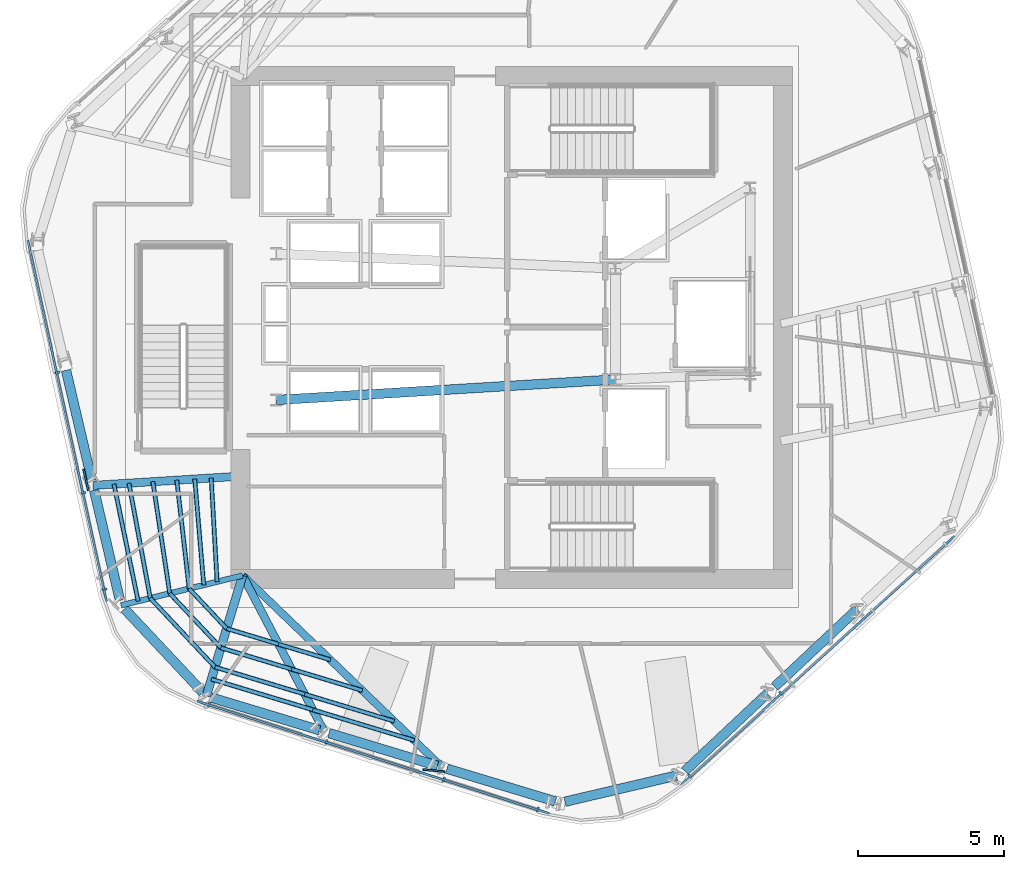
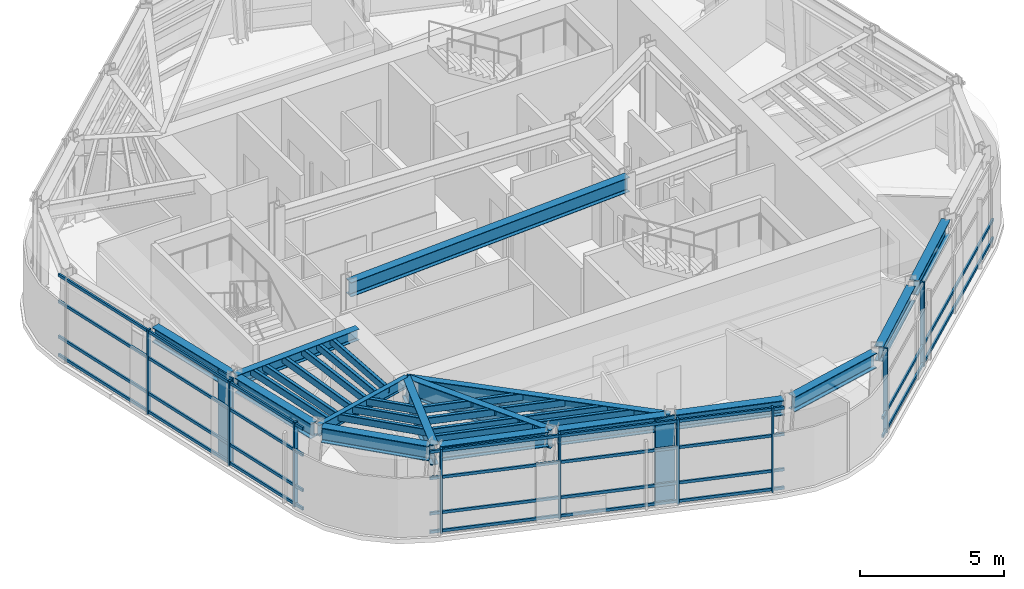
# One storey, part 2 of 15: 38 members, 15 beams, 3 elements without a shape of their own.
"""IFC4 building model written with IfcOpenShell, lengths in metres."""

from ifc_helpers import new_model, si_unit, direction, frame, origin, origin_2d, place, context, subcontext, project, spatial, rectangle, hollow_rectangle, i_section, extrude, material, layer, layer_set, material_profile, profile_set, type_object, element, aggregate, save


model = new_model("IFC4")

# Units and contexts
model_context = context("Model", 3, precision=1e-05, world=origin(), true_north=direction((0.0, 1.0)))
body_context = subcontext(model_context, "Body", "Model", "MODEL_VIEW")
ifc_project = project(units=[si_unit("LENGTHUNIT", "METRE"), si_unit("AREAUNIT", "SQUARE_METRE"), si_unit("VOLUMEUNIT", "CUBIC_METRE"), si_unit("PLANEANGLEUNIT", "RADIAN"), si_unit("MASSUNIT", "GRAM", prefix="KILO")], contexts=[model_context])

# Site, building, storey
site_placement = place(None, origin())
site = spatial("IfcSite", under=ifc_project, at=site_placement, CompositionType="ELEMENT")
building_placement = place(site_placement, origin())
building = spatial("IfcBuilding", under=site, at=building_placement, Name="Valkerne Bourse Tower", CompositionType="ELEMENT")
storey_placement = place(building_placement, frame((0.0, 0.0, 205.60009765625)))
storey = spatial("IfcBuildingStorey", under=building, at=storey_placement, Name="L52", CompositionType="ELEMENT", Elevation=205.60009765625)

# Beams
ifc_material_1 = material(Name="Steel ASTM A992", Category="steel")
ifc_material_profile_1 = material_profile(ifc_material_1, i_section(OverallWidth=0.1904296875, OverallDepth=0.457275390625, WebThickness=0.009033203125, FlangeThickness=0.014404296875, FilletRadius=0.01513671875, at=origin_2d()), Name="W18X50")
ifc_profile_set_1 = profile_set([ifc_material_profile_1], Name="Steel ASTM A992")
beam_type_1 = type_object("IfcBeamType", Name="BM-W18X50", PredefinedType="JOIST", material=ifc_profile_set_1)
beam_1_placement = place(storey_placement, frame((33.445556640625, 17.37841796875, 3.371337890625), z_axis=(0.97107841733, 0.238760774408, 0.0), x_axis=(-0.238760774408, 0.97107841733, 0.0)))
element("IfcBeam", 1, at=beam_1_placement, inside=storey, type_object=beam_type_1, Name="L52 Radial Composite Floor Beam 11", PredefinedType="JOIST", context=body_context, shape_type="SweptSolid", body=[
    extrude(i_section(OverallWidth=0.1904296875, OverallDepth=0.457275390625, WebThickness=0.009033203125, FlangeThickness=0.014404296875, FilletRadius=0.01513671875, at=origin_2d()), origin(), (0.0, 0.0, 1.0), 4.2783203125),
])
ifc_material_profile_2 = material_profile(ifc_material_1, i_section(OverallWidth=0.279296875, OverallDepth=0.46240234375, WebThickness=0.0107421875, FlangeThickness=0.017333984375, FilletRadius=0.017822265625, at=origin_2d()), Name="W18X76")
ifc_profile_set_2 = profile_set([ifc_material_profile_2], Name="Steel ASTM A992")
beam_type_2 = type_object("IfcBeamType", Name="BM-W18X76", PredefinedType="BEAM", material=ifc_profile_set_2)
beam_2_placement = place(storey_placement, frame((32.483642578125, 21.47900390625, 3.36865234375), z_axis=(0.998037167924, 0.062624367792, 0.0), x_axis=(-0.062624367792, 0.998037167924, 0.0)))
element("IfcBeam", 2, at=beam_2_placement, inside=storey, type_object=beam_type_2, Name="L52 Radial Composite Floor Beam 10", PredefinedType="BEAM", context=body_context, shape_type="SweptSolid", body=[
    extrude(i_section(OverallWidth=0.279296875, OverallDepth=0.46240234375, WebThickness=0.0107421875, FlangeThickness=0.017333984375, FilletRadius=0.017822265625, at=origin_2d()), origin(), (0.0, 0.0, 1.0), 5.12646484375),
])
ifc_material_profile_3 = material_profile(ifc_material_1, i_section(OverallWidth=0.3251953125, OverallDepth=0.612060546875, WebThickness=0.0126953125, FlangeThickness=0.01904296875, FilletRadius=0.020263671875, at=origin_2d()), Name="W24X104")
ifc_profile_set_3 = profile_set([ifc_material_profile_3], Name="Steel ASTM A992")
beam_type_3 = type_object("IfcBeamType", Name="BM-W24X104", PredefinedType="BEAM", material=ifc_profile_set_3)
beam_3_placement = place(storey_placement, frame((38.75, 24.39990234375, 3.293701171875), z_axis=(0.998183228389, 0.060251494276, 0.0), x_axis=(-0.060251494276, 0.998183228389, 0.0)))
element("IfcBeam", 3, at=beam_3_placement, inside=storey, type_object=beam_type_3, Name="L52 Core Frame Girder CG-SW", PredefinedType="BEAM", context=body_context, shape_type="SweptSolid", body=[
    extrude(i_section(OverallWidth=0.3251953125, OverallDepth=0.612060546875, WebThickness=0.0126953125, FlangeThickness=0.01904296875, FilletRadius=0.020263671875, at=origin_2d()), origin(), (0.0, 0.0, 1.0), 11.62109375),
])
ifc_material_profile_4 = material_profile(ifc_material_1, i_section(OverallWidth=0.32763671875, OverallDepth=0.62744140625, WebThickness=0.0166015625, FlangeThickness=0.027587890625, FilletRadius=0.020263671875, at=origin_2d()), Name="W24X146")
ifc_profile_set_4 = profile_set([ifc_material_profile_4], Name="Steel ASTM A992")
beam_type_4 = type_object("IfcBeamType", Name="BM-W24X146", PredefinedType="SPANDREL", material=ifc_profile_set_4)
for number, where, z_axis, x_axis, name in (
    (4, (31.560791015625, 25.414306640625, 3.2861328125), (0.228311792798, -0.973588067547, 0.0), (0.973588067547, 0.228311792798, 0.0), "L52 Hexagonal Spandrel Ring Beam 09"),
    (5, (32.5224609375, 21.3134765625, 3.2861328125), (0.228371556972, -0.973574050582, 0.0), (0.973574050582, 0.228371556972, 0.0), "L52 Hexagonal Spandrel Ring Beam 10"),
):
    element("IfcBeam", number, at=place(storey_placement, frame(where, z_axis=z_axis, x_axis=x_axis)), inside=storey, type_object=beam_type_4, Name=name, PredefinedType="SPANDREL", context=body_context, shape_type="SweptSolid", body=[
        extrude(i_section(OverallWidth=0.32763671875, OverallDepth=0.62744140625, WebThickness=0.0166015625, FlangeThickness=0.027587890625, FilletRadius=0.020263671875, at=origin_2d()), origin(), (0.0, 0.0, 1.0), 3.8720703125),
    ])
beam_4_placement = place(storey_placement, frame((33.56201171875, 17.25439453125, 3.2861328125), z_axis=(0.684496780709, -0.729015882679, 0.0), x_axis=(0.729015882679, 0.684496780709, 0.0)))
element("IfcBeam", 6, at=beam_4_placement, inside=storey, type_object=beam_type_4, Name="L52 Hexagonal Spandrel Ring Beam 11", PredefinedType="SPANDREL", context=body_context, shape_type="SweptSolid", body=[
    extrude(i_section(OverallWidth=0.32763671875, OverallDepth=0.62744140625, WebThickness=0.0166015625, FlangeThickness=0.027587890625, FilletRadius=0.020263671875, at=origin_2d()), origin(), (0.0, 0.0, 1.0), 3.91552734375),
])
for number, where, z_axis, x_axis, name in (
    (7, (36.521484375, 14.226806640625, 3.2861328125), (0.957319810918, -0.289030758957, 0.0), (0.289030758957, 0.957319810918, 0.0), "L52 Hexagonal Spandrel Ring Beam 12"),
    (8, (40.5537109375, 13.009521484375, 3.2861328125), (0.957319810918, -0.289030758957, 0.0), (0.289030758957, 0.957319810918, 0.0), "L52 Hexagonal Spandrel Ring Beam 13"),
    (9, (44.5859375, 11.7919921875, 3.2861328125), (0.957319810918, -0.289030758957, 0.0), (0.289030758957, 0.957319810918, 0.0), "L52 Hexagonal Spandrel Ring Beam 14"),
):
    element("IfcBeam", number, at=place(storey_placement, frame(where, z_axis=z_axis, x_axis=x_axis)), inside=storey, type_object=beam_type_4, Name=name, PredefinedType="SPANDREL", context=body_context, shape_type="SweptSolid", body=[
        extrude(i_section(OverallWidth=0.32763671875, OverallDepth=0.62744140625, WebThickness=0.0166015625, FlangeThickness=0.027587890625, FilletRadius=0.020263671875, at=origin_2d()), origin(), (0.0, 0.0, 1.0), 3.8720703125),
    ])
beam_5_placement = place(storey_placement, frame((48.620849609375, 10.66259765625, 3.2861328125), z_axis=(0.973571489204, 0.228382476142, 0.0), x_axis=(-0.228382476142, 0.973571489204, 0.0)))
element("IfcBeam", 10, at=beam_5_placement, inside=storey, type_object=beam_type_4, Name="L52 Hexagonal Spandrel Ring Beam 15", PredefinedType="SPANDREL", context=body_context, shape_type="SweptSolid", body=[
    extrude(i_section(OverallWidth=0.32763671875, OverallDepth=0.62744140625, WebThickness=0.0166015625, FlangeThickness=0.027587890625, FilletRadius=0.020263671875, at=origin_2d()), origin(), (0.0, 0.0, 1.0), 3.915771484375),
])
for number, where, z_axis, x_axis, name in (
    (11, (52.722412109375, 11.7119140625, 3.2861328125), (0.728982492651, 0.68453234066, 0.0), (-0.68453234066, 0.728982492651, 0.0), "L52 Hexagonal Spandrel Ring Beam 16"),
    (12, (55.79296875, 14.59521484375, 3.2861328125), (0.728952946424, 0.684563804111, 0.0), (-0.684563804111, 0.728952946424, 0.0), "L52 Hexagonal Spandrel Ring Beam 17"),
):
    element("IfcBeam", number, at=place(storey_placement, frame(where, z_axis=z_axis, x_axis=x_axis)), inside=storey, type_object=beam_type_4, Name=name, PredefinedType="SPANDREL", context=body_context, shape_type="SweptSolid", body=[
        extrude(i_section(OverallWidth=0.32763671875, OverallDepth=0.62744140625, WebThickness=0.0166015625, FlangeThickness=0.027587890625, FilletRadius=0.020263671875, at=origin_2d()), origin(), (0.0, 0.0, 1.0), 3.8720703125),
    ])
ifc_material_profile_5 = material_profile(ifc_material_1, i_section(OverallWidth=0.255859375, OverallDepth=0.693359375, WebThickness=0.014404296875, FlangeThickness=0.023681640625, FilletRadius=0.02294921875, at=origin_2d()), Name="W27X114")
ifc_profile_set_5 = profile_set([ifc_material_profile_5], Name="Steel ASTM A992")
beam_type_5 = type_object("IfcBeamType", Name="BM-W27X114", PredefinedType="BEAM", material=ifc_profile_set_5)
beam_6_placement = place(storey_placement, frame((44.423095703125, 11.84130859375, 3.253173828125), z_axis=(-0.720937650913, 0.692999930373, 0.0), x_axis=(-0.692999930373, -0.720937650913, 0.0)))
element("IfcBeam", 13, at=beam_6_placement, inside=storey, type_object=beam_type_5, Name="L52 Radial Composite Floor Beam 14", PredefinedType="BEAM", context=body_context, shape_type="SweptSolid", body=[
    extrude(i_section(OverallWidth=0.255859375, OverallDepth=0.693359375, WebThickness=0.014404296875, FlangeThickness=0.023681640625, FilletRadius=0.02294921875, at=origin_2d()), origin(), (0.0, 0.0, 1.0), 9.464111328125),
])
ifc_material_profile_6 = material_profile(ifc_material_1, i_section(OverallWidth=0.26806640625, OverallDepth=0.76953125, WebThickness=0.015625, FlangeThickness=0.025390625, FilletRadius=0.025390625, at=origin_2d()), Name="W30X132")
ifc_profile_set_6 = profile_set([ifc_material_profile_6], Name="Steel ASTM A992")
beam_type_6 = type_object("IfcBeamType", Name="BM-W30X132", PredefinedType="BEAM", material=ifc_profile_set_6)
beam_7_placement = place(storey_placement, frame((40.39111328125, 13.05859375, 3.215087890625), z_axis=(-0.463119704796, 0.886295740162, 0.0), x_axis=(-0.886295740162, -0.463119704796, 0.0)))
element("IfcBeam", 14, at=beam_7_placement, inside=storey, type_object=beam_type_6, Name="L52 Radial Composite Floor Beam 13", PredefinedType="BEAM", context=body_context, shape_type="SweptSolid", body=[
    extrude(i_section(OverallWidth=0.26806640625, OverallDepth=0.76953125, WebThickness=0.015625, FlangeThickness=0.025390625, FilletRadius=0.025390625, at=origin_2d()), origin(), (0.0, 0.0, 1.0), 6.026611328125),
])
ifc_material_profile_7 = material_profile(ifc_material_1, i_section(OverallWidth=0.2919921875, OverallDepth=0.8583984375, WebThickness=0.01708984375, FlangeThickness=0.031005859375, FilletRadius=0.025390625, at=origin_2d()), Name="W33X169")
ifc_profile_set_7 = profile_set([ifc_material_profile_7], Name="Steel ASTM A992")
beam_type_7 = type_object("IfcBeamType", Name="BM-W33X169", PredefinedType="BEAM", material=ifc_profile_set_7)
beam_8_placement = place(storey_placement, frame((36.358642578125, 14.27587890625, 3.170654296875), z_axis=(0.288252666786, 0.957554384926, 0.0), x_axis=(-0.957554384926, 0.288252666786, 0.0)))
element("IfcBeam", 15, at=beam_8_placement, inside=storey, type_object=beam_type_7, Name="L52 Radial Composite Floor Beam 12", PredefinedType="BEAM", context=body_context, shape_type="SweptSolid", body=[
    extrude(i_section(OverallWidth=0.2919921875, OverallDepth=0.8583984375, WebThickness=0.01708984375, FlangeThickness=0.031005859375, FilletRadius=0.025390625, at=origin_2d()), origin(), (0.0, 0.0, 1.0), 4.306884765625),
])

# Curtain wall, members
ifc_material_2 = material(Name="Aluminium AA 6063-T6", Category="aluminium")
ifc_layer = layer(ifc_material_2, 0.239990234375)
ifc_layer_set = layer_set([ifc_layer], Name="Aluminium AA 6063-T6")
curtain_wall_type = type_object("IfcCurtainWallType", Name="CW-04", PredefinedType="NOTDEFINED", material=ifc_layer_set)
curtain_wall_1_placement = place(storey_placement, origin())
curtain_wall_1 = element("IfcCurtainWall", 16, at=curtain_wall_1_placement, inside=storey, type_object=curtain_wall_type, Name="L52 Hexagonal Stick Curtain Wall Face 3", PredefinedType="NOTDEFINED")
ifc_material_profile_8 = material_profile(ifc_material_2, rectangle(XDim=0.074951171875, YDim=0.159912109375, at=origin_2d()), Name="CWM-75X160")
ifc_profile_set_8 = profile_set([ifc_material_profile_8], Name="Aluminium AA 6063-T6")
member_type_1 = type_object("IfcMemberType", Name="CW-MUL-160X75", PredefinedType="MULLION", material=ifc_profile_set_8)
member_1_placement = place(storey_placement, frame((31.2587890625, 25.337158203125, 0.0), z_axis=(0.0, 0.0, 1.0), x_axis=(0.213029862571, -0.977045688621, 0.0)))
member_1 = element("IfcMember", 17, at=member_1_placement, type_object=member_type_1, Name="CW-L52-F3 Jamb Mullion 01A", PredefinedType="MULLION", context=body_context, shape_type="SweptSolid", body=[
    extrude(rectangle(XDim=0.074951171875, YDim=0.159912109375, at=origin_2d()), origin(), (0.0, 0.0, 1.0), 3.599853515625),
])
member_2_placement = place(storey_placement, frame((32.156005859375, 21.2216796875, 0.0), z_axis=(0.0, 0.0, 1.0), x_axis=(0.213034804174, -0.977044611167, 0.0)))
member_2 = element("IfcMember", 18, at=member_2_placement, type_object=member_type_1, Name="CW-L52-F3 Jamb Mullion 02A", PredefinedType="MULLION", context=body_context, shape_type="SweptSolid", body=[
    extrude(rectangle(XDim=0.074951171875, YDim=0.159912109375, at=origin_2d()), origin(), (0.0, 0.0, 1.0), 3.599853515625),
])
member_3_placement = place(storey_placement, frame((32.87451171875, 17.927001953125, 0.0), z_axis=(0.0, 0.0, 1.0), x_axis=(0.213034804174, -0.977044611167, 0.0)))
member_3 = element("IfcMember", 19, at=member_3_placement, type_object=member_type_1, Name="CW-L52-F3 Jamb Mullion 02B", PredefinedType="MULLION", context=body_context, shape_type="SweptSolid", body=[
    extrude(rectangle(XDim=0.074951171875, YDim=0.159912109375, at=origin_2d()), origin(), (0.0, 0.0, 1.0), 3.599853515625),
])

curtain_wall_2_placement = place(storey_placement, origin())
curtain_wall_2 = element("IfcCurtainWall", 20, at=curtain_wall_2_placement, inside=storey, type_object=curtain_wall_type, Name="L52 Hexagonal Stick Curtain Wall Face 4", PredefinedType="NOTDEFINED")
member_4_placement = place(storey_placement, frame((36.456787109375, 13.989990234375, 0.0), z_axis=(0.0, 0.0, 1.0), x_axis=(0.952660381718, -0.304036506204, 0.0)))
member_4 = element("IfcMember", 21, at=member_4_placement, type_object=member_type_1, Name="CW-L52-F4 Jamb Mullion 00A", PredefinedType="MULLION", context=body_context, shape_type="SweptSolid", body=[
    extrude(rectangle(XDim=0.074951171875, YDim=0.159912109375, at=origin_2d()), origin(), (0.0, 0.0, 1.0), 3.599853515625),
])
member_5_placement = place(storey_placement, frame((40.469482421875, 12.70947265625, 0.0), z_axis=(0.0, 0.0, 1.0), x_axis=(0.952660381718, -0.304036506204, 0.0)))
member_5 = element("IfcMember", 22, at=member_5_placement, type_object=member_type_1, Name="CW-L52-F4 Jamb Mullion 01A", PredefinedType="MULLION", context=body_context, shape_type="SweptSolid", body=[
    extrude(rectangle(XDim=0.074951171875, YDim=0.159912109375, at=origin_2d()), origin(), (0.0, 0.0, 1.0), 3.599853515625),
])
member_6_placement = place(storey_placement, frame((44.482177734375, 11.4287109375, 0.0), z_axis=(0.0, 0.0, 1.0), x_axis=(0.952667258157, -0.304014958903, 0.0)))
member_6 = element("IfcMember", 23, at=member_6_placement, type_object=member_type_1, Name="CW-L52-F4 Jamb Mullion 02A", PredefinedType="MULLION", context=body_context, shape_type="SweptSolid", body=[
    extrude(rectangle(XDim=0.074951171875, YDim=0.159912109375, at=origin_2d()), origin(), (0.0, 0.0, 1.0), 3.599853515625),
])
member_7_placement = place(storey_placement, frame((47.694580078125, 10.40380859375, 0.0), z_axis=(0.0, 0.0, 1.0), x_axis=(0.952667258157, -0.304014958903, 0.0)))
member_7 = element("IfcMember", 24, at=member_7_placement, type_object=member_type_1, Name="CW-L52-F4 Jamb Mullion 02B", PredefinedType="MULLION", context=body_context, shape_type="SweptSolid", body=[
    extrude(rectangle(XDim=0.074951171875, YDim=0.159912109375, at=origin_2d()), origin(), (0.0, 0.0, 1.0), 3.599853515625),
])

curtain_wall_3_placement = place(storey_placement, origin())
curtain_wall_3 = element("IfcCurtainWall", 25, at=curtain_wall_3_placement, inside=storey, type_object=curtain_wall_type, Name="L52 Hexagonal Stick Curtain Wall Face 5", PredefinedType="NOTDEFINED")
member_8_placement = place(storey_placement, frame((52.8955078125, 11.53759765625, 0.0), z_axis=(0.0, 0.0, 1.0), x_axis=(0.73961985495, 0.673024865933, 0.0)))
member_8 = element("IfcMember", 26, at=member_8_placement, type_object=member_type_1, Name="CW-L52-F5 Jamb Mullion 00A", PredefinedType="MULLION", context=body_context, shape_type="SweptSolid", body=[
    extrude(rectangle(XDim=0.074951171875, YDim=0.159912109375, at=origin_2d()), origin(), (0.0, 0.0, 1.0), 3.599853515625),
])
member_9_placement = place(storey_placement, frame((56.0107421875, 14.372314453125, 0.0), z_axis=(0.0, 0.0, 1.0), x_axis=(0.739631673154, 0.673011878103, 0.0)))
member_9 = element("IfcMember", 27, at=member_9_placement, type_object=member_type_1, Name="CW-L52-F5 Jamb Mullion 01A", PredefinedType="MULLION", context=body_context, shape_type="SweptSolid", body=[
    extrude(rectangle(XDim=0.074951171875, YDim=0.159912109375, at=origin_2d()), origin(), (0.0, 0.0, 1.0), 3.599853515625),
])

# Member
ifc_material_profile_9 = material_profile(ifc_material_2, rectangle(XDim=0.074951171875, YDim=0.1201171875, at=origin_2d()), Name="CWT-75X120")
ifc_profile_set_9 = profile_set([ifc_material_profile_9], Name="Aluminium AA 6063-T6")
member_type_2 = type_object("IfcMemberType", Name="CW-TRN-120X75", PredefinedType="USERDEFINED", material=ifc_profile_set_9)
member_10_placement = place(storey_placement, frame((30.25244140625, 29.8583984375, 0.119873046875), z_axis=(0.213033612446, -0.977044871011, 0.0), x_axis=(0.977044871011, 0.213033612446, 0.0)))
member_10 = element("IfcMember", 28, at=member_10_placement, type_object=member_type_2, Name="CW-L52-F3 Continuous Face Transom 1", ObjectType="TRANSOM", PredefinedType="USERDEFINED", context=body_context, shape_type="SweptSolid", body=[
    extrude(rectangle(XDim=0.074951171875, YDim=0.1201171875, at=origin_2d()), origin(), (0.0, 0.0, 1.0), 12.635986328125),
])

member_11_placement = place(storey_placement, frame((30.25244140625, 29.8583984375, 0.89990234375), z_axis=(0.213033612446, -0.977044871011, 0.0), x_axis=(0.977044871011, 0.213033612446, 0.0)))
member_11 = element("IfcMember", 29, at=member_11_placement, type_object=member_type_2, Name="CW-L52-F3 Continuous Face Transom 2", ObjectType="TRANSOM", PredefinedType="USERDEFINED", context=body_context, shape_type="SweptSolid", body=[
    extrude(rectangle(XDim=0.074951171875, YDim=0.1201171875, at=origin_2d()), origin(), (0.0, 0.0, 1.0), 12.635986328125),
])

member_12_placement = place(storey_placement, frame((30.25244140625, 29.8583984375, 2.39990234375), z_axis=(0.213033612446, -0.977044871011, 0.0), x_axis=(0.977044871011, 0.213033612446, 0.0)))
member_12 = element("IfcMember", 30, at=member_12_placement, type_object=member_type_2, Name="CW-L52-F3 Continuous Face Transom 3", ObjectType="TRANSOM", PredefinedType="USERDEFINED", context=body_context, shape_type="SweptSolid", body=[
    extrude(rectangle(XDim=0.074951171875, YDim=0.1201171875, at=origin_2d()), origin(), (0.0, 0.0, 1.0), 12.635986328125),
])

member_13_placement = place(storey_placement, frame((30.25244140625, 29.8583984375, 3.52001953125), z_axis=(0.213033612446, -0.977044871011, 0.0), x_axis=(0.977044871011, 0.213033612446, 0.0)))
member_13 = element("IfcMember", 31, at=member_13_placement, type_object=member_type_2, Name="CW-L52-F3 Continuous Face Transom 4", ObjectType="TRANSOM", PredefinedType="USERDEFINED", context=body_context, shape_type="SweptSolid", body=[
    extrude(rectangle(XDim=0.074951171875, YDim=0.1201171875, at=origin_2d()), origin(), (0.0, 0.0, 1.0), 12.635986328125),
])

aggregate(curtain_wall_1, [member_10, member_11, member_12, member_13, member_1, member_2, member_3])

member_14_placement = place(storey_placement, frame((36.05078125, 14.0986328125, 0.119873046875), z_axis=(0.952658973075, -0.304040919975, 0.0), x_axis=(0.304040919975, 0.952658973075, 0.0)))
member_14 = element("IfcMember", 32, at=member_14_placement, type_object=member_type_2, Name="CW-L52-F4 Continuous Face Transom 1", ObjectType="TRANSOM", PredefinedType="USERDEFINED", context=body_context, shape_type="SweptSolid", body=[
    extrude(rectangle(XDim=0.074951171875, YDim=0.1201171875, at=origin_2d()), origin(), (0.0, 0.0, 1.0), 12.6357421875),
])

member_15_placement = place(storey_placement, frame((36.05078125, 14.0986328125, 0.89990234375), z_axis=(0.952658973075, -0.304040919975, 0.0), x_axis=(0.304040919975, 0.952658973075, 0.0)))
member_15 = element("IfcMember", 33, at=member_15_placement, type_object=member_type_2, Name="CW-L52-F4 Continuous Face Transom 2", ObjectType="TRANSOM", PredefinedType="USERDEFINED", context=body_context, shape_type="SweptSolid", body=[
    extrude(rectangle(XDim=0.074951171875, YDim=0.1201171875, at=origin_2d()), origin(), (0.0, 0.0, 1.0), 12.6357421875),
])

member_16_placement = place(storey_placement, frame((36.05078125, 14.0986328125, 2.39990234375), z_axis=(0.952658973075, -0.304040919975, 0.0), x_axis=(0.304040919975, 0.952658973075, 0.0)))
member_16 = element("IfcMember", 34, at=member_16_placement, type_object=member_type_2, Name="CW-L52-F4 Continuous Face Transom 3", ObjectType="TRANSOM", PredefinedType="USERDEFINED", context=body_context, shape_type="SweptSolid", body=[
    extrude(rectangle(XDim=0.074951171875, YDim=0.1201171875, at=origin_2d()), origin(), (0.0, 0.0, 1.0), 12.6357421875),
])

member_17_placement = place(storey_placement, frame((36.05078125, 14.0986328125, 3.52001953125), z_axis=(0.952658973075, -0.304040919975, 0.0), x_axis=(0.304040919975, 0.952658973075, 0.0)))
member_17 = element("IfcMember", 35, at=member_17_placement, type_object=member_type_2, Name="CW-L52-F4 Continuous Face Transom 4", ObjectType="TRANSOM", PredefinedType="USERDEFINED", context=body_context, shape_type="SweptSolid", body=[
    extrude(rectangle(XDim=0.074951171875, YDim=0.1201171875, at=origin_2d()), origin(), (0.0, 0.0, 1.0), 12.6357421875),
])

aggregate(curtain_wall_2, [member_14, member_15, member_16, member_17, member_4, member_5, member_6, member_7])

member_18_placement = place(storey_placement, frame((52.598388671875, 11.239990234375, 0.119873046875), z_axis=(0.739613012943, 0.673032384871, 0.0), x_axis=(-0.673032384871, 0.739613012943, 0.0)))
member_18 = element("IfcMember", 36, at=member_18_placement, type_object=member_type_2, Name="CW-L52-F5 Continuous Face Transom 1", ObjectType="TRANSOM", PredefinedType="USERDEFINED", context=body_context, shape_type="SweptSolid", body=[
    extrude(rectangle(XDim=0.074951171875, YDim=0.1201171875, at=origin_2d()), origin(), (0.0, 0.0, 1.0), 12.635986328125),
])

member_19_placement = place(storey_placement, frame((52.598388671875, 11.239990234375, 0.89990234375), z_axis=(0.739613012943, 0.673032384871, 0.0), x_axis=(-0.673032384871, 0.739613012943, 0.0)))
member_19 = element("IfcMember", 37, at=member_19_placement, type_object=member_type_2, Name="CW-L52-F5 Continuous Face Transom 2", ObjectType="TRANSOM", PredefinedType="USERDEFINED", context=body_context, shape_type="SweptSolid", body=[
    extrude(rectangle(XDim=0.074951171875, YDim=0.1201171875, at=origin_2d()), origin(), (0.0, 0.0, 1.0), 12.635986328125),
])

aggregate(curtain_wall_3, [member_18, member_19, member_8, member_9])

# Members
ifc_material_3 = material(Name="Bronze Anodised Aluminium AA 6063-T6", Category="aluminium")
ifc_material_profile_10 = material_profile(ifc_material_3, rectangle(XDim=0.06494140625, YDim=0.75, at=origin_2d()), Name="FIN-65X750")
ifc_profile_set_10 = profile_set([ifc_material_profile_10], Name="Bronze Anodised Aluminium AA 6063-T6")
member_type_3 = type_object("IfcMemberType", Name="FIN-SOLAR-650", PredefinedType="USERDEFINED", material=ifc_profile_set_10)
for number, where, z_axis, x_axis, name in (
    (38, (32.242431640625, 21.67041015625, 0.00390625), (0.0, 0.0, 1.0), (-0.976771020836, -0.214285727137, 0.0), "L52 Bronze Anodised Solar Fin F3-02"),
    (39, (44.13671875, 11.72802734375, 0.00390625), (0.0, 0.0, 1.0), (-0.096504831205, -0.995332516074, 0.0), "L52 Bronze Anodised Solar Fin F4-02"),
):
    element("IfcMember", number, at=place(storey_placement, frame(where, z_axis=z_axis, x_axis=x_axis)), inside=storey, type_object=member_type_3, Name=name, ObjectType="SOLAR_FIN", PredefinedType="USERDEFINED", context=body_context, shape_type="SweptSolid", body=[
        extrude(rectangle(XDim=0.06494140625, YDim=0.75, at=origin_2d()), origin(), (0.0, 0.0, 1.0), 3.592041015625),
    ])
ifc_material_4 = material(Name="Steel ASTM A500 Grade C", Category="steel")
ifc_material_profile_11 = material_profile(ifc_material_4, hollow_rectangle(XDim=0.14990234375, YDim=0.300048828125, WallThickness=0.012451171875, OuterFilletRadius=0.02490234375, at=origin_2d()), Name="HSS300X150X12.5")
ifc_profile_set_11 = profile_set([ifc_material_profile_11], Name="Steel ASTM A500 Grade C")
member_type_4 = type_object("IfcMemberType", Name="MBR-HSS300X150X12.5", PredefinedType="PURLIN", material=ifc_profile_set_11)
member_20_placement = place(storey_placement, frame((35.962890625, 21.697265625, 3.43994140625), z_axis=(0.08457297293, -0.996417288213, 0.0), x_axis=(0.996417288213, 0.08457297293, 0.0)))
element("IfcMember", 40, at=member_20_placement, inside=storey, type_object=member_type_4, Name="L52 Secondary Composite Floor Purlin I-10", PredefinedType="PURLIN", context=body_context, shape_type="SweptSolid", body=[
    extrude(hollow_rectangle(XDim=0.14990234375, YDim=0.300048828125, WallThickness=0.012451171875, OuterFilletRadius=0.02490234375, at=origin_2d()), origin(), (0.0, 0.0, 1.0), 3.63720703125),
])
member_21_placement = place(storey_placement, frame((35.348876953125, 21.65869140625, 3.43994140625), z_axis=(0.113360260397, -0.9935539499, 0.0), x_axis=(0.9935539499, 0.113360260397, 0.0)))
element("IfcMember", 41, at=member_21_placement, inside=storey, type_object=member_type_4, Name="L52 Secondary Composite Floor Purlin K-10", PredefinedType="PURLIN", context=body_context, shape_type="SweptSolid", body=[
    extrude(hollow_rectangle(XDim=0.14990234375, YDim=0.300048828125, WallThickness=0.012451171875, OuterFilletRadius=0.02490234375, at=origin_2d()), origin(), (0.0, 0.0, 1.0), 3.732421875),
])
member_22_placement = place(storey_placement, frame((35.77197265625, 17.950439453125, 3.43994140625), z_axis=(0.684526425711, -0.728988046886, 0.0), x_axis=(0.728988046886, 0.684526425711, 0.0)))
element("IfcMember", 42, at=member_22_placement, inside=storey, type_object=member_type_4, Name="L52 Secondary Composite Floor Purlin K-11", PredefinedType="PURLIN", context=body_context, shape_type="SweptSolid", body=[
    extrude(hollow_rectangle(XDim=0.14990234375, YDim=0.300048828125, WallThickness=0.012451171875, OuterFilletRadius=0.02490234375, at=origin_2d()), origin(), (0.0, 0.0, 1.0), 1.87255859375),
])
member_23_placement = place(storey_placement, frame((37.0537109375, 16.58544921875, 3.43994140625), z_axis=(0.957320833629, -0.28902737154, 0.0), x_axis=(0.28902737154, 0.957320833629, 0.0)))
element("IfcMember", 43, at=member_23_placement, inside=storey, type_object=member_type_4, Name="L52 Secondary Composite Floor Purlin K-12", PredefinedType="PURLIN", context=body_context, shape_type="SweptSolid", body=[
    extrude(hollow_rectangle(XDim=0.14990234375, YDim=0.300048828125, WallThickness=0.012451171875, OuterFilletRadius=0.02490234375, at=origin_2d()), origin(), (0.0, 0.0, 1.0), 1.853271484375),
])
member_24_placement = place(storey_placement, frame((38.827880859375, 16.0498046875, 3.43994140625), z_axis=(0.957331836301, -0.288990925818, 0.0), x_axis=(0.288990925818, 0.957331836301, 0.0)))
element("IfcMember", 44, at=member_24_placement, inside=storey, type_object=member_type_4, Name="L52 Secondary Composite Floor Purlin K-13", PredefinedType="PURLIN", context=body_context, shape_type="SweptSolid", body=[
    extrude(hollow_rectangle(XDim=0.14990234375, YDim=0.300048828125, WallThickness=0.012451171875, OuterFilletRadius=0.02490234375, at=origin_2d()), origin(), (0.0, 0.0, 1.0), 1.853515625),
])
member_25_placement = place(storey_placement, frame((33.711669921875, 21.555908203125, 3.43994140625), z_axis=(0.182751502794, -0.983159136776, 0.0), x_axis=(0.983159136776, 0.182751502794, 0.0)))
element("IfcMember", 45, at=member_25_placement, inside=storey, type_object=member_type_4, Name="L52 Secondary Composite Floor Purlin O-10", PredefinedType="PURLIN", context=body_context, shape_type="SweptSolid", body=[
    extrude(hollow_rectangle(XDim=0.14990234375, YDim=0.300048828125, WallThickness=0.012451171875, OuterFilletRadius=0.02490234375, at=origin_2d()), origin(), (0.0, 0.0, 1.0), 3.999755859375),
])
member_26_placement = place(storey_placement, frame((34.442626953125, 17.62353515625, 3.43994140625), z_axis=(0.684525980853, -0.728988464612, 0.0), x_axis=(0.728988464612, 0.684525980853, 0.0)))
element("IfcMember", 46, at=member_26_placement, inside=storey, type_object=member_type_4, Name="L52 Secondary Composite Floor Purlin O-11", PredefinedType="PURLIN", context=body_context, shape_type="SweptSolid", body=[
    extrude(hollow_rectangle(XDim=0.14990234375, YDim=0.300048828125, WallThickness=0.012451171875, OuterFilletRadius=0.02490234375, at=origin_2d()), origin(), (0.0, 0.0, 1.0), 3.234130859375),
])
member_27_placement = place(storey_placement, frame((36.656494140625, 15.265869140625, 3.43994140625), z_axis=(0.957318952017, -0.289033603772, 0.0), x_axis=(0.289033603772, 0.957318952017, 0.0)))
element("IfcMember", 47, at=member_27_placement, inside=storey, type_object=member_type_4, Name="L52 Secondary Composite Floor Purlin O-12", PredefinedType="PURLIN", context=body_context, shape_type="SweptSolid", body=[
    extrude(hollow_rectangle(XDim=0.14990234375, YDim=0.300048828125, WallThickness=0.012451171875, OuterFilletRadius=0.02490234375, at=origin_2d()), origin(), (0.0, 0.0, 1.0), 3.201416015625),
])
member_28_placement = place(storey_placement, frame((39.72119140625, 14.340576171875, 3.43994140625), z_axis=(0.957312580346, -0.289054706781, 0.0), x_axis=(0.289054706781, 0.957312580346, 0.0)))
element("IfcMember", 48, at=member_28_placement, inside=storey, type_object=member_type_4, Name="L52 Secondary Composite Floor Purlin O-13", PredefinedType="PURLIN", context=body_context, shape_type="SweptSolid", body=[
    extrude(hollow_rectangle(XDim=0.14990234375, YDim=0.300048828125, WallThickness=0.012451171875, OuterFilletRadius=0.02490234375, at=origin_2d()), origin(), (0.0, 0.0, 1.0), 3.201171875),
])
member_29_placement = place(storey_placement, frame((34.5302734375, 21.607421875, 3.43994140625), z_axis=(0.149378585073, -0.988780075811, 0.0), x_axis=(0.988780075811, 0.149378585073, 0.0)))
element("IfcMember", 49, at=member_29_placement, inside=storey, type_object=member_type_4, Name="L52 Secondary Composite Floor Purlin Z-10", PredefinedType="PURLIN", context=body_context, shape_type="SweptSolid", body=[
    extrude(hollow_rectangle(XDim=0.14990234375, YDim=0.300048828125, WallThickness=0.012451171875, OuterFilletRadius=0.02490234375, at=origin_2d()), origin(), (0.0, 0.0, 1.0), 3.86376953125),
])
member_30_placement = place(storey_placement, frame((35.107421875, 17.787109375, 3.43994140625), z_axis=(0.68447843156, -0.72903311086, 0.0), x_axis=(0.72903311086, 0.68447843156, 0.0)))
element("IfcMember", 50, at=member_30_placement, inside=storey, type_object=member_type_4, Name="L52 Secondary Composite Floor Purlin Z-11", PredefinedType="PURLIN", context=body_context, shape_type="SweptSolid", body=[
    extrude(hollow_rectangle(XDim=0.14990234375, YDim=0.300048828125, WallThickness=0.012451171875, OuterFilletRadius=0.02490234375, at=origin_2d()), origin(), (0.0, 0.0, 1.0), 2.553466796875),
])
member_31_placement = place(storey_placement, frame((36.855224609375, 15.925537109375, 3.43994140625), z_axis=(0.957346367719, -0.288942783637, 0.0), x_axis=(0.288942783637, 0.957346367719, 0.0)))
element("IfcMember", 51, at=member_31_placement, inside=storey, type_object=member_type_4, Name="L52 Secondary Composite Floor Purlin Z-12", PredefinedType="PURLIN", context=body_context, shape_type="SweptSolid", body=[
    extrude(hollow_rectangle(XDim=0.14990234375, YDim=0.300048828125, WallThickness=0.012451171875, OuterFilletRadius=0.02490234375, at=origin_2d()), origin(), (0.0, 0.0, 1.0), 2.52734375),
])
member_32_placement = place(storey_placement, frame((39.274658203125, 15.1953125, 3.43994140625), z_axis=(0.957284833583, -0.289146584611, 0.0), x_axis=(0.289146584611, 0.957284833583, 0.0)))
element("IfcMember", 52, at=member_32_placement, inside=storey, type_object=member_type_4, Name="L52 Secondary Composite Floor Purlin Z-13", PredefinedType="PURLIN", context=body_context, shape_type="SweptSolid", body=[
    extrude(hollow_rectangle(XDim=0.14990234375, YDim=0.300048828125, WallThickness=0.012451171875, OuterFilletRadius=0.02490234375, at=origin_2d()), origin(), (0.0, 0.0, 1.0), 2.527099609375),
])
member_33_placement = place(storey_placement, frame((36.525634765625, 21.732666015625, 3.43994140625), z_axis=(0.05682475616, -0.998384168087, 0.0), x_axis=(0.998384168087, 0.05682475616, 0.0)))
element("IfcMember", 53, at=member_33_placement, inside=storey, type_object=member_type_4, Name="L52 Secondary Composite Floor Purlin S-10", PredefinedType="PURLIN", context=body_context, shape_type="SweptSolid", body=[
    extrude(hollow_rectangle(XDim=0.14990234375, YDim=0.300048828125, WallThickness=0.012451171875, OuterFilletRadius=0.02490234375, at=origin_2d()), origin(), (0.0, 0.0, 1.0), 3.55322265625),
])
member_34_placement = place(storey_placement, frame((33.199951171875, 21.52392578125, 3.43994140625), z_axis=(0.202372527123, -0.979308613393, 0.0), x_axis=(0.979308613393, 0.202372527123, 0.0)))
element("IfcMember", 54, at=member_34_placement, inside=storey, type_object=member_type_4, Name="L52 Secondary Composite Floor Purlin T-10", PredefinedType="PURLIN", context=body_context, shape_type="SweptSolid", body=[
    extrude(hollow_rectangle(XDim=0.14990234375, YDim=0.300048828125, WallThickness=0.012451171875, OuterFilletRadius=0.02490234375, at=origin_2d()), origin(), (0.0, 0.0, 1.0), 4.087158203125),
])
for number, where, z_axis, x_axis, name in (
    (55, (36.532470703125, 14.853515625, 3.43994140625), (0.957309061884, -0.289066359224, 0.0), (0.289066359224, 0.957309061884, 0.0), "L52 Secondary Composite Floor Purlin T-12"),
    (56, (40.000244140625, 13.806396484375, 3.43994140625), (0.957327710787, -0.289004591936, 0.0), (0.289004591936, 0.957327710787, 0.0), "L52 Secondary Composite Floor Purlin T-13"),
):
    element("IfcMember", number, at=place(storey_placement, frame(where, z_axis=z_axis, x_axis=x_axis)), inside=storey, type_object=member_type_4, Name=name, PredefinedType="PURLIN", context=body_context, shape_type="SweptSolid", body=[
        extrude(hollow_rectangle(XDim=0.14990234375, YDim=0.300048828125, WallThickness=0.012451171875, OuterFilletRadius=0.02490234375, at=origin_2d()), origin(), (0.0, 0.0, 1.0), 3.622314453125),
    ])

save(model, "model.ifc")
